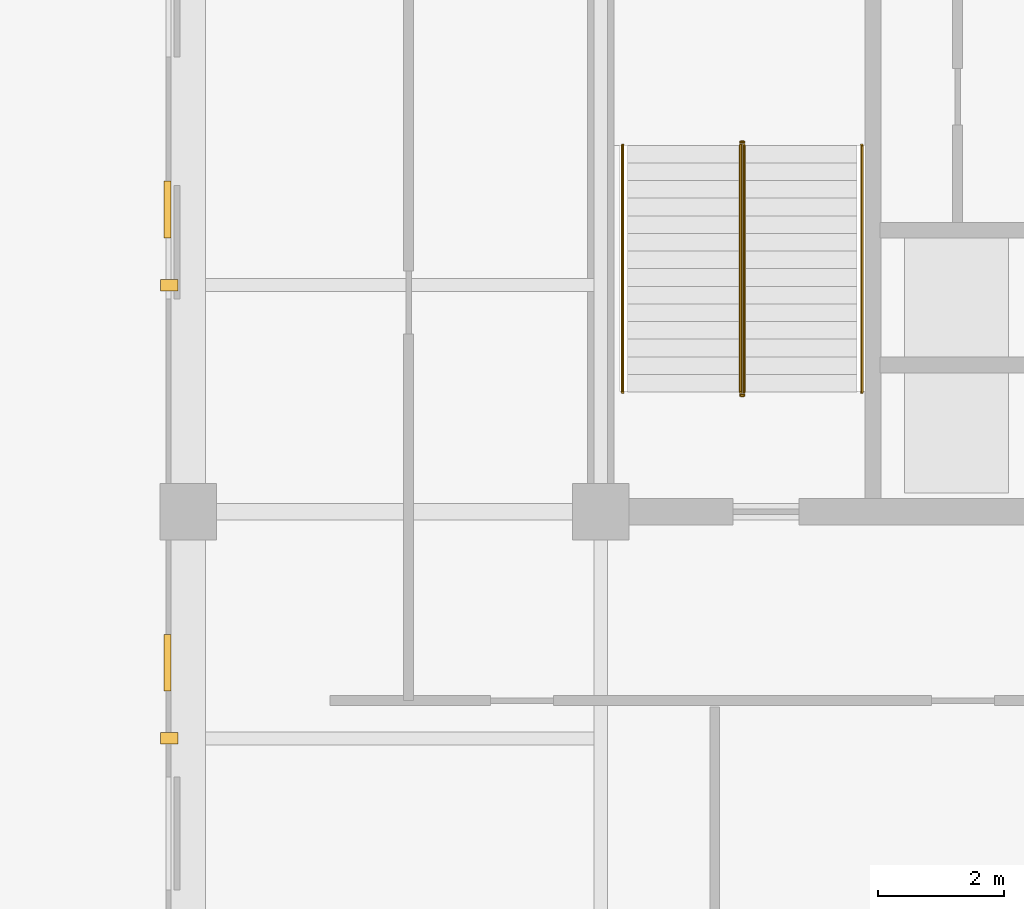
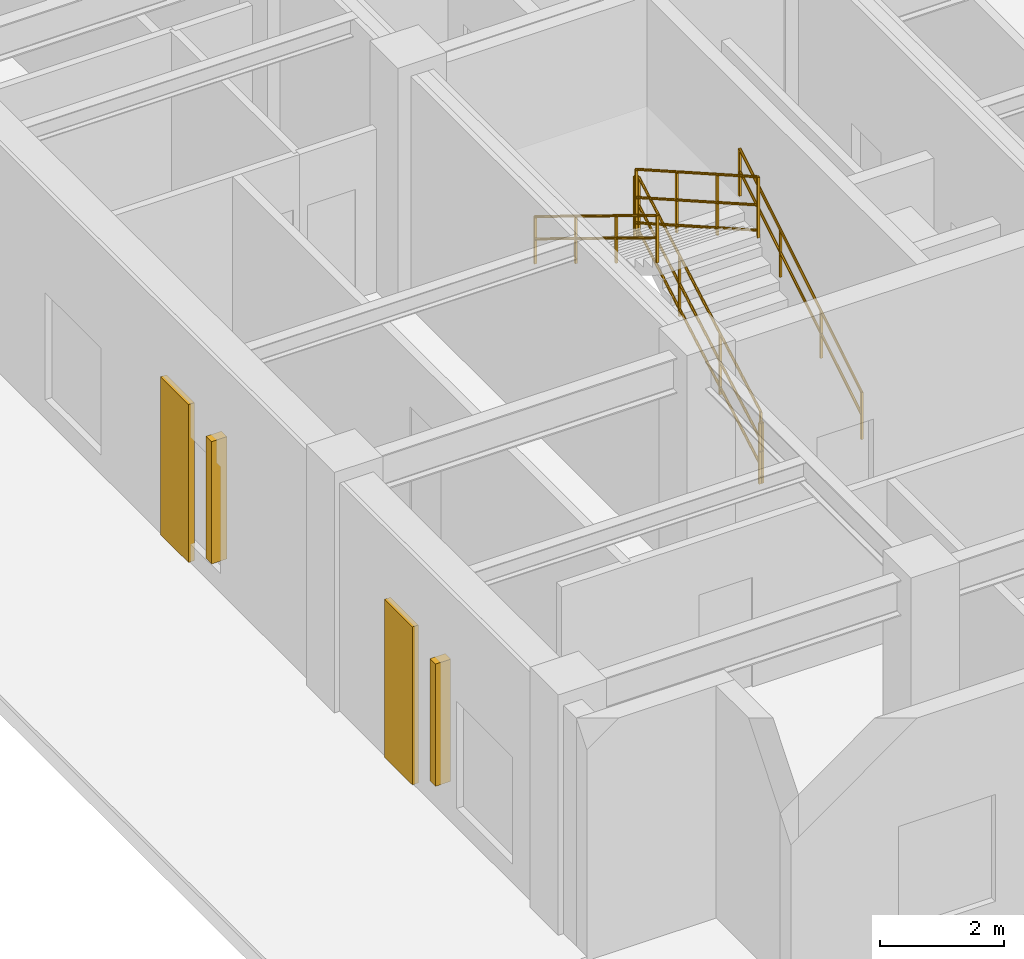
# One storey, part 11 of 16: 6 railings, 2 coverings, 2 shading devices.
"""IFC4 building model written with IfcOpenShell, lengths in metres."""

from ifc_helpers import new_model, entity, si_unit, converted_unit, direction, frame, origin_with_axes, origin_2d_with_axis, place, context, subcontext, project, spatial, rectangle, circle, extrude, material, layer, layer_set, type_object, element, save


model = new_model("IFC4")

# Units and contexts
model_context = context("Model", 3, precision=1e-05, world=origin_with_axes(), true_north=direction((0.0, 1.0)))
body_context = subcontext(model_context, "Body", "Model", "MODEL_VIEW")
ifc_project = project(units=[si_unit("LENGTHUNIT", "METRE"), si_unit("AREAUNIT", "SQUARE_METRE"), si_unit("VOLUMEUNIT", "CUBIC_METRE"), converted_unit("PLANEANGLEUNIT", "DEGREE", entity("IfcPlaneAngleMeasure", 0.017453292519943295), si_unit("PLANEANGLEUNIT", "RADIAN"), dimensions=[0, 0, 0, 0, 0, 0, 0]), si_unit("MASSUNIT", "GRAM", prefix="KILO"), si_unit("THERMODYNAMICTEMPERATUREUNIT", "KELVIN")], contexts=[model_context])

# Site, building, storey
site_placement = place(None, origin_with_axes())
site = spatial("IfcSite", under=ifc_project, at=site_placement, CompositionType="ELEMENT")
building_placement = place(site_placement, origin_with_axes())
building = spatial("IfcBuilding", under=site, at=building_placement, Name="Varnlund Millrace Tower", CompositionType="ELEMENT")
storey_placement = place(building_placement, frame((0.0, 0.0, 219.9), z_axis=(0.0, 0.0, 1.0), x_axis=(1.0, 0.0, 0.0)))
storey = spatial("IfcBuildingStorey", under=building, at=storey_placement, Name="L54", CompositionType="ELEMENT", Elevation=219.9)

# Coverings
ifc_material_1 = material(Name="Precast concrete C50/60", Category="concrete")
ifc_layer = layer(ifc_material_1, 0.11, Name="Precast concrete C50/60")
ifc_layer_set = layer_set([ifc_layer], Name="Precast concrete C50/60")
covering_type = type_object("IfcCoveringType", Name="Type-Cladding-KasotaPier-110", PredefinedType="CLADDING", material=ifc_layer_set)
for number, where, z_axis, x_axis, name in (
    (1, (4.52, 8.4, 0.1), (0.0, 0.0, 1.0), (1.0, 0.0, 0.0), "Type-Cladding-KasotaPier-110"),
    (2, (4.52, 15.6, 0.1), (0.0, 0.0, 1.0), (1.0, 0.0, 0.0), "Type-Cladding-KasotaPier-110"),
):
    element("IfcCovering", number, at=place(storey_placement, frame(where, z_axis=z_axis, x_axis=x_axis)), inside=storey, type_object=covering_type, Name=name, PredefinedType="CLADDING", context=body_context, shape_type="SweptSolid", body=[
        extrude(rectangle(XDim=0.11, YDim=0.9, at=origin_2d_with_axis()), origin_with_axes(), (0.0, 0.0, 1.0), 3.1),
    ])

# Shading devices
ifc_material_2 = material(Name="Architectural bronze fluted spandrel fin", Category="aluminium")
shading_device_type = type_object("IfcShadingDeviceType", Name="Type-Shade-ArtDecoFin", PredefinedType="USERDEFINED", material=ifc_material_2)
for number, where, z_axis, x_axis, name in (
    (3, (4.55, 7.2, 0.6), (0.0, 0.0, 1.0), (1.0, 0.0, 0.0), "Type-Shade-ArtDecoFin"),
    (4, (4.55, 14.4, 0.6), (0.0, 0.0, 1.0), (1.0, 0.0, 0.0), "Type-Shade-ArtDecoFin"),
):
    element("IfcShadingDevice", number, at=place(storey_placement, frame(where, z_axis=z_axis, x_axis=x_axis)), inside=storey, type_object=shading_device_type, Name=name, ObjectType="FIN", PredefinedType="USERDEFINED", context=body_context, shape_type="SweptSolid", body=[
        extrude(rectangle(XDim=0.28, YDim=0.18, at=origin_2d_with_axis()), origin_with_axes(), (0.0, 0.0, 1.0), 2.4),
    ])

# Railings
ifc_material_3 = material(Name="Painted steel stair well balustrade guard", Category="steel")
railing_type_1 = type_object("IfcRailingType", Name="Type-StairGuard-1150", PredefinedType="GUARDRAIL", material=ifc_material_3)
railing_1_placement = place(storey_placement, frame((0.0, 0.0, -219.9), z_axis=(0.0, 0.0, 1.0), x_axis=(1.0, 0.0, 0.0)))
element("IfcRailing", 5, at=railing_1_placement, inside=storey, type_object=railing_type_1, Name="Type-StairGuard-1150", PredefinedType="GUARDRAIL", context=body_context, shape_type="SweptSolid", body=[
    extrude(circle(Radius=0.024, at=origin_2d_with_axis()), frame((13.675, 12.7, 221.221429), z_axis=(0.0, 0.869333, 0.494227), x_axis=(-1.0, 0.0, 0.0)), (0.0, 0.0, 1.0), 4.509205),
    extrude(circle(Radius=0.024, at=origin_2d_with_axis()), frame((13.675, 12.7, 220.171429), z_axis=(0.0, 0.869333, 0.494227), x_axis=(-1.0, 0.0, 0.0)), (0.0, 0.0, 1.0), 4.509205),
    extrude(circle(Radius=0.024, at=origin_2d_with_axis()), frame((13.675, 12.7, 220.669429), z_axis=(0.0, 0.869333, 0.494227), x_axis=(-1.0, 0.0, 0.0)), (0.0, 0.0, 1.0), 4.509205),
    extrude(rectangle(XDim=0.04, YDim=0.04, at=origin_2d_with_axis()), frame((13.675, 12.7, 220.031429), z_axis=(0.0, 0.0, 1.0), x_axis=(1.0, 0.0, 0.0)), (0.0, 0.0, 1.0), 1.19),
    extrude(rectangle(XDim=0.04, YDim=0.04, at=origin_2d_with_axis()), frame((13.675, 14.006667, 220.774286), z_axis=(0.0, 0.0, 1.0), x_axis=(1.0, 0.0, 0.0)), (0.0, 0.0, 1.0), 1.19),
    extrude(rectangle(XDim=0.04, YDim=0.04, at=origin_2d_with_axis()), frame((13.675, 15.313333, 221.517143), z_axis=(0.0, 0.0, 1.0), x_axis=(1.0, 0.0, 0.0)), (0.0, 0.0, 1.0), 1.19),
    extrude(rectangle(XDim=0.04, YDim=0.04, at=origin_2d_with_axis()), frame((13.675, 16.62, 222.26), z_axis=(0.0, 0.0, 1.0), x_axis=(1.0, 0.0, 0.0)), (0.0, 0.0, 1.0), 1.19),
])
railing_2_placement = place(storey_placement, frame((0.0, 0.0, -219.9), z_axis=(0.0, 0.0, 1.0), x_axis=(1.0, 0.0, 0.0)))
element("IfcRailing", 6, at=railing_2_placement, inside=storey, type_object=railing_type_1, Name="Type-StairGuard-1150", PredefinedType="GUARDRAIL", context=body_context, shape_type="SweptSolid", body=[
    extrude(circle(Radius=0.024, at=origin_2d_with_axis()), frame((13.625, 16.67, 223.45), z_axis=(1.0, 0.0, 0.0), x_axis=(0.0, 1.0, 0.0)), (0.0, 0.0, 1.0), 0.05),
    extrude(circle(Radius=0.024, at=origin_2d_with_axis()), frame((13.625, 16.67, 222.4), z_axis=(1.0, 0.0, 0.0), x_axis=(0.0, 1.0, 0.0)), (0.0, 0.0, 1.0), 0.05),
    extrude(circle(Radius=0.024, at=origin_2d_with_axis()), frame((13.625, 16.67, 222.898), z_axis=(1.0, 0.0, 0.0), x_axis=(0.0, 1.0, 0.0)), (0.0, 0.0, 1.0), 0.05),
    extrude(rectangle(XDim=0.04, YDim=0.04, at=origin_2d_with_axis()), frame((13.625, 16.67, 222.26), z_axis=(0.0, 0.0, 1.0), x_axis=(1.0, 0.0, 0.0)), (0.0, 0.0, 1.0), 1.19),
    extrude(rectangle(XDim=0.04, YDim=0.04, at=origin_2d_with_axis()), frame((13.675, 16.67, 222.26), z_axis=(0.0, 0.0, 1.0), x_axis=(1.0, 0.0, 0.0)), (0.0, 0.0, 1.0), 1.19),
])
railing_3_placement = place(storey_placement, frame((0.0, 0.0, -219.9), z_axis=(0.0, 0.0, 1.0), x_axis=(1.0, 0.0, 0.0)))
element("IfcRailing", 7, at=railing_3_placement, inside=storey, type_object=railing_type_1, Name="Type-StairGuard-1150", PredefinedType="GUARDRAIL", context=body_context, shape_type="SweptSolid", body=[
    extrude(circle(Radius=0.024, at=origin_2d_with_axis()), frame((13.625, 16.62, 223.621429), z_axis=(0.0, -0.869333, 0.494227), x_axis=(1.0, 0.0, 0.0)), (0.0, 0.0, 1.0), 4.509205),
    extrude(circle(Radius=0.024, at=origin_2d_with_axis()), frame((13.625, 16.62, 222.571429), z_axis=(0.0, -0.869333, 0.494227), x_axis=(1.0, 0.0, 0.0)), (0.0, 0.0, 1.0), 4.509205),
    extrude(circle(Radius=0.024, at=origin_2d_with_axis()), frame((13.625, 16.62, 223.069429), z_axis=(0.0, -0.869333, 0.494227), x_axis=(1.0, 0.0, 0.0)), (0.0, 0.0, 1.0), 4.509205),
    extrude(rectangle(XDim=0.04, YDim=0.04, at=origin_2d_with_axis()), frame((13.625, 16.62, 222.431429), z_axis=(0.0, 0.0, 1.0), x_axis=(1.0, 0.0, 0.0)), (0.0, 0.0, 1.0), 1.19),
    extrude(rectangle(XDim=0.04, YDim=0.04, at=origin_2d_with_axis()), frame((13.625, 15.313333, 223.174286), z_axis=(0.0, 0.0, 1.0), x_axis=(1.0, 0.0, 0.0)), (0.0, 0.0, 1.0), 1.19),
    extrude(rectangle(XDim=0.04, YDim=0.04, at=origin_2d_with_axis()), frame((13.625, 14.006667, 223.917143), z_axis=(0.0, 0.0, 1.0), x_axis=(1.0, 0.0, 0.0)), (0.0, 0.0, 1.0), 1.19),
    extrude(rectangle(XDim=0.04, YDim=0.04, at=origin_2d_with_axis()), frame((13.625, 12.7, 224.66), z_axis=(0.0, 0.0, 1.0), x_axis=(1.0, 0.0, 0.0)), (0.0, 0.0, 1.0), 1.19),
])
railing_4_placement = place(storey_placement, frame((0.0, 0.0, -219.9), z_axis=(0.0, 0.0, 1.0), x_axis=(1.0, 0.0, 0.0)))
element("IfcRailing", 8, at=railing_4_placement, inside=storey, type_object=railing_type_1, Name="Type-StairGuard-1150", PredefinedType="GUARDRAIL", context=body_context, shape_type="SweptSolid", body=[
    extrude(circle(Radius=0.024, at=origin_2d_with_axis()), frame((13.625, 12.65, 221.05), z_axis=(1.0, 0.0, 0.0), x_axis=(0.0, 1.0, 0.0)), (0.0, 0.0, 1.0), 0.05),
    extrude(circle(Radius=0.024, at=origin_2d_with_axis()), frame((13.625, 12.65, 220.0), z_axis=(1.0, 0.0, 0.0), x_axis=(0.0, 1.0, 0.0)), (0.0, 0.0, 1.0), 0.05),
    extrude(circle(Radius=0.024, at=origin_2d_with_axis()), frame((13.625, 12.65, 220.498), z_axis=(1.0, 0.0, 0.0), x_axis=(0.0, 1.0, 0.0)), (0.0, 0.0, 1.0), 0.05),
    extrude(rectangle(XDim=0.04, YDim=0.04, at=origin_2d_with_axis()), frame((13.625, 12.65, 219.86), z_axis=(0.0, 0.0, 1.0), x_axis=(1.0, 0.0, 0.0)), (0.0, 0.0, 1.0), 1.19),
    extrude(rectangle(XDim=0.04, YDim=0.04, at=origin_2d_with_axis()), frame((13.675, 12.65, 219.86), z_axis=(0.0, 0.0, 1.0), x_axis=(1.0, 0.0, 0.0)), (0.0, 0.0, 1.0), 1.19),
])
ifc_material_4 = material(Name="Brushed architectural bronze stair handrail", Category="aluminium")
railing_type_2 = type_object("IfcRailingType", Name="Type-StairHandrail-900", PredefinedType="HANDRAIL", material=ifc_material_4)
railing_5_placement = place(storey_placement, frame((0.0, 0.0, -219.9), z_axis=(0.0, 0.0, 1.0), x_axis=(1.0, 0.0, 0.0)))
element("IfcRailing", 9, at=railing_5_placement, inside=storey, type_object=railing_type_2, Name="Type-StairHandrail-900", PredefinedType="HANDRAIL", context=body_context, shape_type="SweptSolid", body=[
    extrude(circle(Radius=0.024, at=origin_2d_with_axis()), frame((15.55, 12.7, 220.950961), z_axis=(0.0, 0.852851, 0.522154), x_axis=(-1.0, 0.0, 0.0)), (0.0, 0.0, 1.0), 4.596346),
    extrude(circle(Radius=0.024, at=origin_2d_with_axis()), frame((15.55, 12.7, 220.511195), z_axis=(0.0, 0.852851, 0.522154), x_axis=(-1.0, 0.0, 0.0)), (0.0, 0.0, 1.0), 4.596346),
    extrude(rectangle(XDim=0.04, YDim=0.04, at=origin_2d_with_axis()), frame((15.55, 12.7, 220.031429), z_axis=(0.0, 0.0, 1.0), x_axis=(1.0, 0.0, 0.0)), (0.0, 0.0, 1.0), 0.919532),
    extrude(rectangle(XDim=0.04, YDim=0.04, at=origin_2d_with_axis()), frame((15.55, 14.006667, 220.831429), z_axis=(0.0, 0.0, 1.0), x_axis=(1.0, 0.0, 0.0)), (0.0, 0.0, 1.0), 0.919532),
    extrude(rectangle(XDim=0.04, YDim=0.04, at=origin_2d_with_axis()), frame((15.55, 15.313333, 221.631429), z_axis=(0.0, 0.0, 1.0), x_axis=(1.0, 0.0, 0.0)), (0.0, 0.0, 1.0), 0.919532),
    extrude(rectangle(XDim=0.04, YDim=0.04, at=origin_2d_with_axis()), frame((15.55, 16.62, 222.431429), z_axis=(0.0, 0.0, 1.0), x_axis=(1.0, 0.0, 0.0)), (0.0, 0.0, 1.0), 0.919532),
])
railing_6_placement = place(storey_placement, frame((0.0, 0.0, -219.9), z_axis=(0.0, 0.0, 1.0), x_axis=(1.0, 0.0, 0.0)))
element("IfcRailing", 10, at=railing_6_placement, inside=storey, type_object=railing_type_2, Name="Type-StairHandrail-900", PredefinedType="HANDRAIL", context=body_context, shape_type="SweptSolid", body=[
    extrude(circle(Radius=0.024, at=origin_2d_with_axis()), frame((11.75, 16.62, 223.350961), z_axis=(0.0, -0.852851, 0.522154), x_axis=(1.0, 0.0, 0.0)), (0.0, 0.0, 1.0), 4.596346),
    extrude(circle(Radius=0.024, at=origin_2d_with_axis()), frame((11.75, 16.62, 222.911195), z_axis=(0.0, -0.852851, 0.522154), x_axis=(1.0, 0.0, 0.0)), (0.0, 0.0, 1.0), 4.596346),
    extrude(rectangle(XDim=0.04, YDim=0.04, at=origin_2d_with_axis()), frame((11.75, 16.62, 222.431429), z_axis=(0.0, 0.0, 1.0), x_axis=(1.0, 0.0, 0.0)), (0.0, 0.0, 1.0), 0.919532),
    extrude(rectangle(XDim=0.04, YDim=0.04, at=origin_2d_with_axis()), frame((11.75, 15.313333, 223.231429), z_axis=(0.0, 0.0, 1.0), x_axis=(1.0, 0.0, 0.0)), (0.0, 0.0, 1.0), 0.919532),
    extrude(rectangle(XDim=0.04, YDim=0.04, at=origin_2d_with_axis()), frame((11.75, 14.006667, 224.031429), z_axis=(0.0, 0.0, 1.0), x_axis=(1.0, 0.0, 0.0)), (0.0, 0.0, 1.0), 0.919532),
    extrude(rectangle(XDim=0.04, YDim=0.04, at=origin_2d_with_axis()), frame((11.75, 12.7, 224.831429), z_axis=(0.0, 0.0, 1.0), x_axis=(1.0, 0.0, 0.0)), (0.0, 0.0, 1.0), 0.919532),
])

save(model, "model.ifc")
